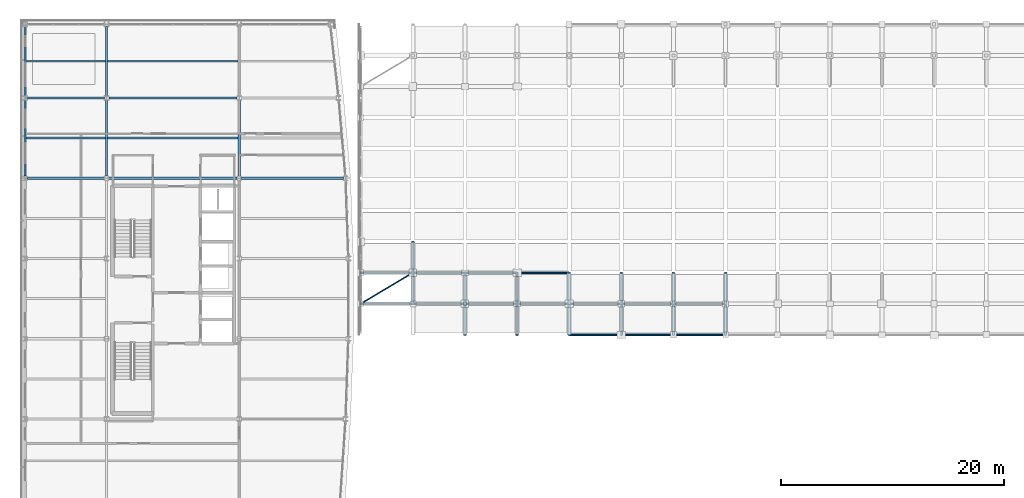
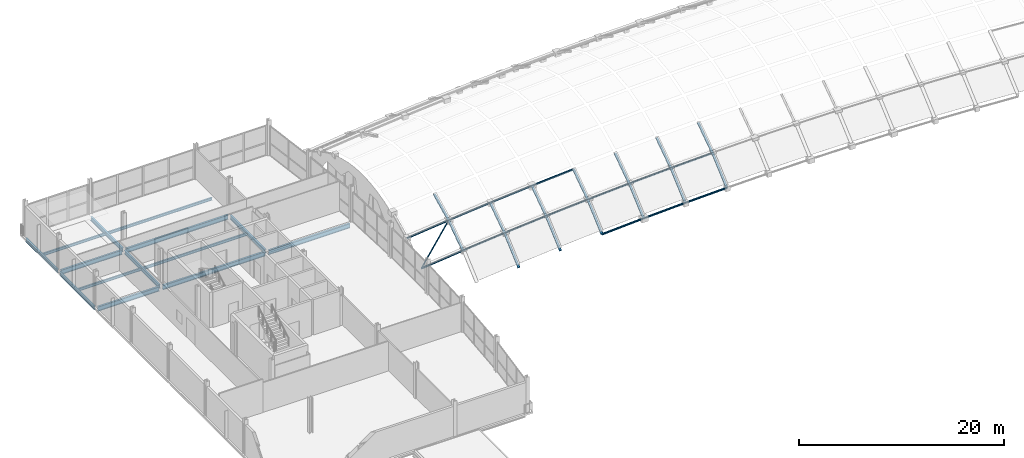
# One storey, part 21 of 65: 28 beams, 15 members.
"""IFC4 building model written with IfcOpenShell, lengths in metres."""

from ifc_helpers import new_model, si_unit, direction, frame, origin, origin_2d, place, context, subcontext, project, spatial, hollow_circle, i_section, extrude, material, material_profile, profile_set, type_object, element, save


model = new_model("IFC4")

# Units and contexts
model_context = context("Model", 3, precision=1e-05, world=origin(), true_north=direction((0.0, 1.0)))
body_context = subcontext(model_context, "Body", "Model", "MODEL_VIEW")
ifc_project = project(units=[si_unit("LENGTHUNIT", "METRE"), si_unit("AREAUNIT", "SQUARE_METRE"), si_unit("VOLUMEUNIT", "CUBIC_METRE"), si_unit("PLANEANGLEUNIT", "RADIAN"), si_unit("MASSUNIT", "GRAM", prefix="KILO")], contexts=[model_context])

# Site, building, storey
site_placement = place(None, origin())
site = spatial("IfcSite", under=ifc_project, at=site_placement, CompositionType="ELEMENT")
building_placement = place(site_placement, origin())
building = spatial("IfcBuilding", under=site, at=building_placement, Name="Quillay Park Conservatory", CompositionType="ELEMENT")
storey_placement = place(building_placement, frame((0.0, 0.0, 14.10009765625)))
storey = spatial("IfcBuildingStorey", under=building, at=storey_placement, Name="L03", CompositionType="ELEMENT", Elevation=14.10009765625)

# Beams
ifc_material_1 = material(Name="Steel ASTM A992 Grade 50", Category="steel")
ifc_material_profile_1 = material_profile(ifc_material_1, i_section(OverallWidth=0.166015625, OverallDepth=0.31298828125, WebThickness=0.006591796875, FlangeThickness=0.01123046875, FilletRadius=0.010009765625, at=origin_2d()), Name="W310x45")
ifc_profile_set_1 = profile_set([ifc_material_profile_1], Name="Steel ASTM A992 Grade 50")
beam_type_1 = type_object("IfcBeamType", Name="COMPOSITE FLOOR JOIST W310 X45", PredefinedType="JOIST", material=ifc_profile_set_1)
beam_1_placement = place(storey_placement, frame((0.639892578125, 103.199951171875, -0.341552734375), z_axis=(1.0, 0.0, 0.0), x_axis=(0.0, 1.0, 0.0)))
element("IfcBeam", 1, at=beam_1_placement, inside=storey, type_object=beam_type_1, Name="L03 beam BM-J-0302", PredefinedType="JOIST", context=body_context, shape_type="SweptSolid", body=[
    extrude(i_section(OverallWidth=0.166015625, OverallDepth=0.31298828125, WebThickness=0.006591796875, FlangeThickness=0.01123046875, FilletRadius=0.010009765625, at=origin_2d()), origin(), (0.0, 0.0, 1.0), 7.114013671875),
])
beam_2_placement = place(storey_placement, frame((7.946044921875, 103.199951171875, -0.341552734375), z_axis=(1.0, 0.0, 0.0), x_axis=(0.0, 1.0, 0.0)))
element("IfcBeam", 2, at=beam_2_placement, inside=storey, type_object=beam_type_1, Name="L03 beam BM-J-0304", PredefinedType="JOIST", context=body_context, shape_type="SweptSolid", body=[
    extrude(i_section(OverallWidth=0.166015625, OverallDepth=0.31298828125, WebThickness=0.006591796875, FlangeThickness=0.01123046875, FilletRadius=0.010009765625, at=origin_2d()), origin(), (0.0, 0.0, 1.0), 11.7080078125),
])
beam_3_placement = place(storey_placement, frame((0.639892578125, 110.10009765625, -0.341552734375), z_axis=(1.0, 0.0, 0.0), x_axis=(0.0, 1.0, 0.0)))
element("IfcBeam", 3, at=beam_3_placement, inside=storey, type_object=beam_type_1, Name="L03 beam BM-J-0309", PredefinedType="JOIST", context=body_context, shape_type="SweptSolid", body=[
    extrude(i_section(OverallWidth=0.166015625, OverallDepth=0.31298828125, WebThickness=0.006591796875, FlangeThickness=0.01123046875, FilletRadius=0.010009765625, at=origin_2d()), origin(), (0.0, 0.0, 1.0), 7.114013671875),
])
beam_4_placement = place(storey_placement, frame((7.946044921875, 110.10009765625, -0.341552734375), z_axis=(1.0, 0.0, 0.0), x_axis=(0.0, 1.0, 0.0)))
element("IfcBeam", 4, at=beam_4_placement, inside=storey, type_object=beam_type_1, Name="L03 beam BM-J-0311", PredefinedType="JOIST", context=body_context, shape_type="SweptSolid", body=[
    extrude(i_section(OverallWidth=0.166015625, OverallDepth=0.31298828125, WebThickness=0.006591796875, FlangeThickness=0.01123046875, FilletRadius=0.010009765625, at=origin_2d()), origin(), (0.0, 0.0, 1.0), 11.7080078125),
])
ifc_material_2 = material(Name="Steel S355J2H", Category="steel")
ifc_material_profile_2 = material_profile(ifc_material_2, hollow_circle(Radius=0.136474609375, WallThickness=0.012451171875, at=origin_2d()), Name="CHS273x12.5")
ifc_profile_set_2 = profile_set([ifc_material_profile_2], Name="Steel S355J2H")
beam_type_2 = type_object("IfcBeamType", Name="GRIDSHELL ARCH BEAM CHS273", PredefinedType="USERDEFINED", material=ifc_profile_set_2)
beam_5_placement = place(storey_placement, frame((35.327880859375, 88.3349609375, 1.207275390625), z_axis=(0.0, 0.824682609274, 0.565595786725), x_axis=(-1.0, 0.0, 0.0)))
element("IfcBeam", 5, at=beam_5_placement, inside=storey, type_object=beam_type_2, Name="Gridshell member GS-ARCH-01-01", ObjectType="GRIDSHELL ARCH BEAM", PredefinedType="USERDEFINED", context=body_context, shape_type="SweptSolid", body=[
    extrude(hollow_circle(Radius=0.136474609375, WallThickness=0.012451171875, at=origin_2d()), origin(), (0.0, 0.0, 1.0), 3.377197265625),
])
beam_6_placement = place(storey_placement, frame((35.327880859375, 91.1201171875, 3.117431640625), z_axis=(0.0, 0.897163004175, 0.441699608262), x_axis=(-1.0, 0.0, 0.0)))
element("IfcBeam", 6, at=beam_6_placement, inside=storey, type_object=beam_type_2, Name="Gridshell member GS-ARCH-01-02", ObjectType="GRIDSHELL ARCH BEAM", PredefinedType="USERDEFINED", context=body_context, shape_type="SweptSolid", body=[
    extrude(hollow_circle(Radius=0.136474609375, WallThickness=0.012451171875, at=origin_2d()), origin(), (0.0, 0.0, 1.0), 3.104248046875),
])
beam_7_placement = place(storey_placement, frame((40.005615234375, 85.550048828125, -0.800537109375), z_axis=(0.0, 0.751437038609, 0.659804802201), x_axis=(-1.0, 0.0, 0.0)))
element("IfcBeam", 7, at=beam_7_placement, inside=storey, type_object=beam_type_2, Name="Gridshell member GS-ARCH-02-00", ObjectType="GRIDSHELL ARCH BEAM", PredefinedType="USERDEFINED", context=body_context, shape_type="SweptSolid", body=[
    extrude(hollow_circle(Radius=0.136474609375, WallThickness=0.012451171875, at=origin_2d()), origin(), (0.0, 0.0, 1.0), 3.7060546875),
])
beam_8_placement = place(storey_placement, frame((40.005615234375, 88.3349609375, 1.644775390625), z_axis=(0.0, 0.824682609274, 0.565595786725), x_axis=(-1.0, 0.0, 0.0)))
element("IfcBeam", 8, at=beam_8_placement, inside=storey, type_object=beam_type_2, Name="Gridshell member GS-ARCH-02-01", ObjectType="GRIDSHELL ARCH BEAM", PredefinedType="USERDEFINED", context=body_context, shape_type="SweptSolid", body=[
    extrude(hollow_circle(Radius=0.136474609375, WallThickness=0.012451171875, at=origin_2d()), origin(), (0.0, 0.0, 1.0), 3.377197265625),
])
beam_9_placement = place(storey_placement, frame((44.683349609375, 85.550048828125, -0.421630859375), z_axis=(0.0, 0.751437038609, 0.659804802201), x_axis=(-1.0, 0.0, 0.0)))
element("IfcBeam", 9, at=beam_9_placement, inside=storey, type_object=beam_type_2, Name="Gridshell member GS-ARCH-03-00", ObjectType="GRIDSHELL ARCH BEAM", PredefinedType="USERDEFINED", context=body_context, shape_type="SweptSolid", body=[
    extrude(hollow_circle(Radius=0.136474609375, WallThickness=0.012451171875, at=origin_2d()), origin(), (0.0, 0.0, 1.0), 3.7060546875),
])
beam_10_placement = place(storey_placement, frame((44.683349609375, 88.3349609375, 2.023681640625), z_axis=(0.0, 0.824682609274, 0.565595786725), x_axis=(-1.0, 0.0, 0.0)))
element("IfcBeam", 10, at=beam_10_placement, inside=storey, type_object=beam_type_2, Name="Gridshell member GS-ARCH-03-01", ObjectType="GRIDSHELL ARCH BEAM", PredefinedType="USERDEFINED", context=body_context, shape_type="SweptSolid", body=[
    extrude(hollow_circle(Radius=0.136474609375, WallThickness=0.012451171875, at=origin_2d()), origin(), (0.0, 0.0, 1.0), 3.377197265625),
])
beam_11_placement = place(storey_placement, frame((49.361083984375, 85.550048828125, -0.101318359375), z_axis=(0.0, 0.751437038609, 0.659804802201), x_axis=(-1.0, 0.0, 0.0)))
element("IfcBeam", 11, at=beam_11_placement, inside=storey, type_object=beam_type_2, Name="Gridshell member GS-ARCH-04-00", ObjectType="GRIDSHELL ARCH BEAM", PredefinedType="USERDEFINED", context=body_context, shape_type="SweptSolid", body=[
    extrude(hollow_circle(Radius=0.136474609375, WallThickness=0.012451171875, at=origin_2d()), origin(), (0.0, 0.0, 1.0), 3.7060546875),
])
beam_12_placement = place(storey_placement, frame((49.361083984375, 88.3349609375, 2.343994140625), z_axis=(0.0, 0.824682609274, 0.565595786725), x_axis=(-1.0, 0.0, 0.0)))
element("IfcBeam", 12, at=beam_12_placement, inside=storey, type_object=beam_type_2, Name="Gridshell member GS-ARCH-04-01", ObjectType="GRIDSHELL ARCH BEAM", PredefinedType="USERDEFINED", context=body_context, shape_type="SweptSolid", body=[
    extrude(hollow_circle(Radius=0.136474609375, WallThickness=0.012451171875, at=origin_2d()), origin(), (0.0, 0.0, 1.0), 3.377197265625),
])
beam_13_placement = place(storey_placement, frame((54.038818359375, 85.550048828125, 0.160400390625), z_axis=(0.0, 0.751437038609, 0.659804802201), x_axis=(-1.0, 0.0, 0.0)))
element("IfcBeam", 13, at=beam_13_placement, inside=storey, type_object=beam_type_2, Name="Gridshell member GS-ARCH-05-00", ObjectType="GRIDSHELL ARCH BEAM", PredefinedType="USERDEFINED", context=body_context, shape_type="SweptSolid", body=[
    extrude(hollow_circle(Radius=0.136474609375, WallThickness=0.012451171875, at=origin_2d()), origin(), (0.0, 0.0, 1.0), 3.7060546875),
])
beam_14_placement = place(storey_placement, frame((54.038818359375, 88.3349609375, 2.605712890625), z_axis=(0.0, 0.824682609274, 0.565595786725), x_axis=(-1.0, 0.0, 0.0)))
element("IfcBeam", 14, at=beam_14_placement, inside=storey, type_object=beam_type_2, Name="Gridshell member GS-ARCH-05-01", ObjectType="GRIDSHELL ARCH BEAM", PredefinedType="USERDEFINED", context=body_context, shape_type="SweptSolid", body=[
    extrude(hollow_circle(Radius=0.136474609375, WallThickness=0.012451171875, at=origin_2d()), origin(), (0.0, 0.0, 1.0), 3.377197265625),
])
beam_15_placement = place(storey_placement, frame((58.716796875, 85.550048828125, 0.363525390625), z_axis=(0.0, 0.751437038609, 0.659804802201), x_axis=(-1.0, 0.0, 0.0)))
element("IfcBeam", 15, at=beam_15_placement, inside=storey, type_object=beam_type_2, Name="Gridshell member GS-ARCH-06-00", ObjectType="GRIDSHELL ARCH BEAM", PredefinedType="USERDEFINED", context=body_context, shape_type="SweptSolid", body=[
    extrude(hollow_circle(Radius=0.136474609375, WallThickness=0.012451171875, at=origin_2d()), origin(), (0.0, 0.0, 1.0), 3.7060546875),
])
beam_16_placement = place(storey_placement, frame((58.716796875, 88.3349609375, 2.808837890625), z_axis=(0.0, 0.824682609274, 0.565595786725), x_axis=(-1.0, 0.0, 0.0)))
element("IfcBeam", 16, at=beam_16_placement, inside=storey, type_object=beam_type_2, Name="Gridshell member GS-ARCH-06-01", ObjectType="GRIDSHELL ARCH BEAM", PredefinedType="USERDEFINED", context=body_context, shape_type="SweptSolid", body=[
    extrude(hollow_circle(Radius=0.136474609375, WallThickness=0.012451171875, at=origin_2d()), origin(), (0.0, 0.0, 1.0), 3.377197265625),
])
beam_17_placement = place(storey_placement, frame((63.394287109375, 85.550048828125, 0.511962890625), z_axis=(0.0, 0.751437038609, 0.659804802201), x_axis=(-1.0, 0.0, 0.0)))
element("IfcBeam", 17, at=beam_17_placement, inside=storey, type_object=beam_type_2, Name="Gridshell member GS-ARCH-07-00", ObjectType="GRIDSHELL ARCH BEAM", PredefinedType="USERDEFINED", context=body_context, shape_type="SweptSolid", body=[
    extrude(hollow_circle(Radius=0.136474609375, WallThickness=0.012451171875, at=origin_2d()), origin(), (0.0, 0.0, 1.0), 3.7060546875),
])
beam_18_placement = place(storey_placement, frame((63.394287109375, 88.3349609375, 2.957275390625), z_axis=(0.0, 0.824682609274, 0.565595786725), x_axis=(-1.0, 0.0, 0.0)))
element("IfcBeam", 18, at=beam_18_placement, inside=storey, type_object=beam_type_2, Name="Gridshell member GS-ARCH-07-01", ObjectType="GRIDSHELL ARCH BEAM", PredefinedType="USERDEFINED", context=body_context, shape_type="SweptSolid", body=[
    extrude(hollow_circle(Radius=0.136474609375, WallThickness=0.012451171875, at=origin_2d()), origin(), (0.0, 0.0, 1.0), 3.377197265625),
])

# Members
ifc_material_3 = material(Name="Steel S355J2H", Category="steel")
ifc_material_profile_3 = material_profile(ifc_material_3, hollow_circle(Radius=0.109619140625, WallThickness=0.010009765625, at=origin_2d()), Name="CHS219.1x10")
ifc_profile_set_3 = profile_set([ifc_material_profile_3], Name="Steel S355J2H")
member_type_1 = type_object("IfcMemberType", Name="GRIDSHELL ARCH RIB CHS219", PredefinedType="USERDEFINED", material=ifc_profile_set_3)
member_1_placement = place(storey_placement, frame((49.361083984375, 85.550048828125, -0.101318359375), z_axis=(0.998438469785, 0.0, 0.055862528163), x_axis=(0.0, 1.0, 0.0)))
element("IfcMember", 19, at=member_1_placement, inside=storey, type_object=member_type_1, Name="Gridshell member GS-RIB-04-00", ObjectType="GRIDSHELL ARCH RIB", PredefinedType="USERDEFINED", context=body_context, shape_type="SweptSolid", body=[
    extrude(hollow_circle(Radius=0.109619140625, WallThickness=0.010009765625, at=origin_2d()), origin(), (0.0, 0.0, 1.0), 4.68505859375),
])
member_2_placement = place(storey_placement, frame((54.038818359375, 85.550048828125, 0.160400390625), z_axis=(0.999058616198, 0.0, 0.043380656995), x_axis=(0.0, 1.0, 0.0)))
element("IfcMember", 20, at=member_2_placement, inside=storey, type_object=member_type_1, Name="Gridshell member GS-RIB-05-00", ObjectType="GRIDSHELL ARCH RIB", PredefinedType="USERDEFINED", context=body_context, shape_type="SweptSolid", body=[
    extrude(hollow_circle(Radius=0.109619140625, WallThickness=0.010009765625, at=origin_2d()), origin(), (0.0, 0.0, 1.0), 4.682373046875),
])
member_3_placement = place(storey_placement, frame((58.716796875, 85.550048828125, 0.363525390625), z_axis=(0.99949684289, 0.0, 0.031718465498), x_axis=(0.0, 1.0, 0.0)))
element("IfcMember", 21, at=member_3_placement, inside=storey, type_object=member_type_1, Name="Gridshell member GS-RIB-06-00", ObjectType="GRIDSHELL ARCH RIB", PredefinedType="USERDEFINED", context=body_context, shape_type="SweptSolid", body=[
    extrude(hollow_circle(Radius=0.109619140625, WallThickness=0.010009765625, at=origin_2d()), origin(), (0.0, 0.0, 1.0), 4.679931640625),
])
member_4_placement = place(storey_placement, frame((30.64990234375, 88.3349609375, 0.711181640625), z_axis=(0.994423821707, 0.0, 0.105457398137), x_axis=(0.0, 1.0, 0.0)))
element("IfcMember", 22, at=member_4_placement, inside=storey, type_object=member_type_1, Name="Gridshell member GS-RIB-00-01", ObjectType="GRIDSHELL ARCH RIB", PredefinedType="USERDEFINED", context=body_context, shape_type="SweptSolid", body=[
    extrude(hollow_circle(Radius=0.109619140625, WallThickness=0.010009765625, at=origin_2d()), origin(), (0.0, 0.0, 1.0), 4.7041015625),
])
member_5_placement = place(storey_placement, frame((35.327880859375, 88.3349609375, 1.207275390625), z_axis=(0.995654726514, 0.0, 0.093121778179), x_axis=(0.0, 1.0, 0.0)))
element("IfcMember", 23, at=member_5_placement, inside=storey, type_object=member_type_1, Name="Gridshell member GS-RIB-01-01", ObjectType="GRIDSHELL ARCH RIB", PredefinedType="USERDEFINED", context=body_context, shape_type="SweptSolid", body=[
    extrude(hollow_circle(Radius=0.109619140625, WallThickness=0.010009765625, at=origin_2d()), origin(), (0.0, 0.0, 1.0), 4.6982421875),
])
member_6_placement = place(storey_placement, frame((40.005615234375, 88.3349609375, 1.644775390625), z_axis=(0.996735387311, 0.0, 0.080737647239), x_axis=(0.0, 1.0, 0.0)))
element("IfcMember", 24, at=member_6_placement, inside=storey, type_object=member_type_1, Name="Gridshell member GS-RIB-02-01", ObjectType="GRIDSHELL ARCH RIB", PredefinedType="USERDEFINED", context=body_context, shape_type="SweptSolid", body=[
    extrude(hollow_circle(Radius=0.109619140625, WallThickness=0.010009765625, at=origin_2d()), origin(), (0.0, 0.0, 1.0), 4.693115234375),
])
member_7_placement = place(storey_placement, frame((44.683349609375, 88.3349609375, 2.023681640625), z_axis=(0.997663732084, 0.0, 0.068316013387), x_axis=(0.0, 1.0, 0.0)))
element("IfcMember", 25, at=member_7_placement, inside=storey, type_object=member_type_1, Name="Gridshell member GS-RIB-03-01", ObjectType="GRIDSHELL ARCH RIB", PredefinedType="USERDEFINED", context=body_context, shape_type="SweptSolid", body=[
    extrude(hollow_circle(Radius=0.109619140625, WallThickness=0.010009765625, at=origin_2d()), origin(), (0.0, 0.0, 1.0), 4.688720703125),
])
member_8_placement = place(storey_placement, frame((49.361083984375, 88.3349609375, 2.343994140625), z_axis=(0.998438469785, 0.0, 0.055862528163), x_axis=(0.0, 1.0, 0.0)))
element("IfcMember", 26, at=member_8_placement, inside=storey, type_object=member_type_1, Name="Gridshell member GS-RIB-04-01", ObjectType="GRIDSHELL ARCH RIB", PredefinedType="USERDEFINED", context=body_context, shape_type="SweptSolid", body=[
    extrude(hollow_circle(Radius=0.109619140625, WallThickness=0.010009765625, at=origin_2d()), origin(), (0.0, 0.0, 1.0), 4.68505859375),
])
member_9_placement = place(storey_placement, frame((54.038818359375, 88.3349609375, 2.605712890625), z_axis=(0.999058616198, 0.0, 0.043380656995), x_axis=(0.0, 1.0, 0.0)))
element("IfcMember", 27, at=member_9_placement, inside=storey, type_object=member_type_1, Name="Gridshell member GS-RIB-05-01", ObjectType="GRIDSHELL ARCH RIB", PredefinedType="USERDEFINED", context=body_context, shape_type="SweptSolid", body=[
    extrude(hollow_circle(Radius=0.109619140625, WallThickness=0.010009765625, at=origin_2d()), origin(), (0.0, 0.0, 1.0), 4.682373046875),
])
member_10_placement = place(storey_placement, frame((58.716796875, 88.3349609375, 2.808837890625), z_axis=(0.99949684289, 0.0, 0.031718465498), x_axis=(0.0, 1.0, 0.0)))
element("IfcMember", 28, at=member_10_placement, inside=storey, type_object=member_type_1, Name="Gridshell member GS-RIB-06-01", ObjectType="GRIDSHELL ARCH RIB", PredefinedType="USERDEFINED", context=body_context, shape_type="SweptSolid", body=[
    extrude(hollow_circle(Radius=0.109619140625, WallThickness=0.010009765625, at=origin_2d()), origin(), (0.0, 0.0, 1.0), 4.679931640625),
])
member_11_placement = place(storey_placement, frame((30.64990234375, 91.1201171875, 2.621337890625), z_axis=(0.994423821707, 0.0, 0.105457398137), x_axis=(0.0, 1.0, 0.0)))
element("IfcMember", 29, at=member_11_placement, inside=storey, type_object=member_type_1, Name="Gridshell member GS-RIB-00-02", ObjectType="GRIDSHELL ARCH RIB", PredefinedType="USERDEFINED", context=body_context, shape_type="SweptSolid", body=[
    extrude(hollow_circle(Radius=0.109619140625, WallThickness=0.010009765625, at=origin_2d()), origin(), (0.0, 0.0, 1.0), 4.7041015625),
])
member_12_placement = place(storey_placement, frame((35.327880859375, 91.1201171875, 3.117431640625), z_axis=(0.995654726514, 0.0, 0.093121778179), x_axis=(0.0, 1.0, 0.0)))
element("IfcMember", 30, at=member_12_placement, inside=storey, type_object=member_type_1, Name="Gridshell member GS-RIB-01-02", ObjectType="GRIDSHELL ARCH RIB", PredefinedType="USERDEFINED", context=body_context, shape_type="SweptSolid", body=[
    extrude(hollow_circle(Radius=0.109619140625, WallThickness=0.010009765625, at=origin_2d()), origin(), (0.0, 0.0, 1.0), 4.6982421875),
])
member_13_placement = place(storey_placement, frame((40.005615234375, 91.1201171875, 3.554931640625), z_axis=(0.996735387311, 0.0, 0.080737647239), x_axis=(0.0, 1.0, 0.0)))
element("IfcMember", 31, at=member_13_placement, inside=storey, type_object=member_type_1, Name="Gridshell member GS-RIB-02-02", ObjectType="GRIDSHELL ARCH RIB", PredefinedType="USERDEFINED", context=body_context, shape_type="SweptSolid", body=[
    extrude(hollow_circle(Radius=0.109619140625, WallThickness=0.010009765625, at=origin_2d()), origin(), (0.0, 0.0, 1.0), 4.693115234375),
])
member_14_placement = place(storey_placement, frame((44.683349609375, 91.1201171875, 3.933837890625), z_axis=(0.997663732084, 0.0, 0.068316013387), x_axis=(0.0, 1.0, 0.0)))
element("IfcMember", 32, at=member_14_placement, inside=storey, type_object=member_type_1, Name="Gridshell member GS-RIB-03-02", ObjectType="GRIDSHELL ARCH RIB", PredefinedType="USERDEFINED", context=body_context, shape_type="SweptSolid", body=[
    extrude(hollow_circle(Radius=0.109619140625, WallThickness=0.010009765625, at=origin_2d()), origin(), (0.0, 0.0, 1.0), 4.688720703125),
])
ifc_material_4 = material(Name="Steel S355J2H", Category="steel")
ifc_material_profile_4 = material_profile(ifc_material_4, hollow_circle(Radius=0.06982421875, WallThickness=0.00634765625, at=origin_2d()), Name="CHS139.7x6.3")
ifc_profile_set_4 = profile_set([ifc_material_profile_4], Name="Steel S355J2H")
member_type_2 = type_object("IfcMemberType", Name="GRIDSHELL DIAGRID BRACE CHS140", PredefinedType="BRACE", material=ifc_profile_set_4)
member_15_placement = place(storey_placement, frame((30.64990234375, 88.3349609375, 0.711181640625), z_axis=(0.785902848432, 0.46790771332, 0.404251264243), x_axis=(-0.511571366138, 0.85924079125, 0.0)))
element("IfcMember", 33, at=member_15_placement, inside=storey, type_object=member_type_2, Name="Gridshell member GS-DIAG-00-01", PredefinedType="BRACE", context=body_context, shape_type="SweptSolid", body=[
    extrude(hollow_circle(Radius=0.06982421875, WallThickness=0.00634765625, at=origin_2d()), origin(), (0.0, 0.0, 1.0), 5.952392578125),
])

# Beams
ifc_material_5 = material(Name="Steel ASTM A992 Grade 50", Category="steel")
ifc_material_profile_5 = material_profile(ifc_material_5, i_section(OverallWidth=0.179931640625, OverallDepth=0.4130859375, WebThickness=0.009765625, FlangeThickness=0.01611328125, FilletRadius=0.011962890625, at=origin_2d()), Name="W410x74")
ifc_profile_set_5 = profile_set([ifc_material_profile_5], Name="Steel ASTM A992 Grade 50")
beam_type_3 = type_object("IfcBeamType", Name="PERIMETER SPANDREL BEAM W410 X74", PredefinedType="SPANDREL", material=ifc_profile_set_5)
beam_19_placement = place(storey_placement, frame((0.550048828125, 99.7900390625, -0.3916015625), z_axis=(0.0, 1.0, 0.0), x_axis=(-1.0, 0.0, 0.0)))
element("IfcBeam", 34, at=beam_19_placement, inside=storey, type_object=beam_type_3, Name="L03 beam BM-SPW-0298", PredefinedType="SPANDREL", context=body_context, shape_type="SweptSolid", body=[
    extrude(i_section(OverallWidth=0.179931640625, OverallDepth=0.4130859375, WebThickness=0.009765625, FlangeThickness=0.01611328125, FilletRadius=0.011962890625, at=origin_2d()), origin(), (0.0, 0.0, 1.0), 6.820068359375),
])
beam_20_placement = place(storey_placement, frame((0.550048828125, 106.989990234375, -0.3916015625), z_axis=(0.0, 1.0, 0.0), x_axis=(-1.0, 0.0, 0.0)))
element("IfcBeam", 35, at=beam_20_placement, inside=storey, type_object=beam_type_3, Name="L03 beam BM-SPW-0305", PredefinedType="SPANDREL", context=body_context, shape_type="SweptSolid", body=[
    extrude(i_section(OverallWidth=0.179931640625, OverallDepth=0.4130859375, WebThickness=0.009765625, FlangeThickness=0.01611328125, FilletRadius=0.011962890625, at=origin_2d()), origin(), (0.0, 0.0, 1.0), 6.219970703125),
])
ifc_material_6 = material(Name="Steel ASTM A992 Grade 50", Category="steel")
ifc_material_profile_6 = material_profile(ifc_material_6, i_section(OverallWidth=0.19189453125, OverallDepth=0.462890625, WebThickness=0.010498046875, FlangeThickness=0.017578125, FilletRadius=0.012939453125, at=origin_2d()), Name="W460x89")
ifc_profile_set_6 = profile_set([ifc_material_profile_6], Name="Steel ASTM A992 Grade 50")
beam_type_4 = type_object("IfcBeamType", Name="PRIMARY FLOOR GIRDER W460 X89", PredefinedType="BEAM", material=ifc_profile_set_6)
for number, where, z_axis, x_axis, name in (
    (36, (7.85009765625, 99.797607421875, -0.41650390625), (0.0, 1.0, 0.0), (-1.0, 0.0, 0.0), "L03 beam BM-GNS-0300"),
    (37, (19.75, 99.797607421875, -0.41650390625), (0.0, 1.0, 0.0), (-1.0, 0.0, 0.0), "L03 beam BM-GNS-0301"),
):
    element("IfcBeam", number, at=place(storey_placement, frame(where, z_axis=z_axis, x_axis=x_axis)), inside=storey, type_object=beam_type_4, Name=name, PredefinedType="BEAM", context=body_context, shape_type="SweptSolid", body=[
        extrude(i_section(OverallWidth=0.19189453125, OverallDepth=0.462890625, WebThickness=0.010498046875, FlangeThickness=0.017578125, FilletRadius=0.012939453125, at=origin_2d()), origin(), (0.0, 0.0, 1.0), 6.8125),
    ])
beam_21_placement = place(storey_placement, frame((7.85009765625, 106.989990234375, -0.41650390625), z_axis=(0.0, 1.0, 0.0), x_axis=(-1.0, 0.0, 0.0)))
element("IfcBeam", 38, at=beam_21_placement, inside=storey, type_object=beam_type_4, Name="L03 beam BM-GNS-0307", PredefinedType="BEAM", context=body_context, shape_type="SweptSolid", body=[
    extrude(i_section(OverallWidth=0.19189453125, OverallDepth=0.462890625, WebThickness=0.010498046875, FlangeThickness=0.017578125, FilletRadius=0.012939453125, at=origin_2d()), origin(), (0.0, 0.0, 1.0), 6.21240234375),
])
ifc_material_7 = material(Name="Steel ASTM A992 Grade 50", Category="steel")
ifc_material_profile_7 = material_profile(ifc_material_7, i_section(OverallWidth=0.2109375, OverallDepth=0.5390625, WebThickness=0.01171875, FlangeThickness=0.018798828125, FilletRadius=0.013916015625, at=origin_2d()), Name="W530x109")
ifc_profile_set_7 = profile_set([ifc_material_profile_7], Name="Steel ASTM A992 Grade 50")
beam_type_5 = type_object("IfcBeamType", Name="PRIMARY FLOOR GIRDER W530 X109", PredefinedType="BEAM", material=ifc_profile_set_7)
beam_22_placement = place(storey_placement, frame((0.74755859375, 99.60009765625, -0.45458984375), z_axis=(1.0, 0.0, 0.0), x_axis=(0.0, 1.0, 0.0)))
element("IfcBeam", 39, at=beam_22_placement, inside=storey, type_object=beam_type_5, Name="L03 beam BM-G-0257", PredefinedType="BEAM", context=body_context, shape_type="SweptSolid", body=[
    extrude(i_section(OverallWidth=0.2109375, OverallDepth=0.5390625, WebThickness=0.01171875, FlangeThickness=0.018798828125, FilletRadius=0.013916015625, at=origin_2d()), origin(), (0.0, 0.0, 1.0), 6.912353515625),
])
beam_23_placement = place(storey_placement, frame((8.0400390625, 99.60009765625, -0.45458984375), z_axis=(1.0, 0.0, 0.0), x_axis=(0.0, 1.0, 0.0)))
element("IfcBeam", 40, at=beam_23_placement, inside=storey, type_object=beam_type_5, Name="L03 beam BM-G-0258", PredefinedType="BEAM", context=body_context, shape_type="SweptSolid", body=[
    extrude(i_section(OverallWidth=0.2109375, OverallDepth=0.5390625, WebThickness=0.01171875, FlangeThickness=0.018798828125, FilletRadius=0.013916015625, at=origin_2d()), origin(), (0.0, 0.0, 1.0), 11.52001953125),
])
beam_24_placement = place(storey_placement, frame((19.93994140625, 99.60009765625, -0.45458984375), z_axis=(1.0, 0.0, 0.0), x_axis=(0.0, 1.0, 0.0)))
element("IfcBeam", 41, at=beam_24_placement, inside=storey, type_object=beam_type_5, Name="L03 beam BM-G-0259", PredefinedType="BEAM", context=body_context, shape_type="SweptSolid", body=[
    extrude(i_section(OverallWidth=0.2109375, OverallDepth=0.5390625, WebThickness=0.01171875, FlangeThickness=0.018798828125, FilletRadius=0.013916015625, at=origin_2d()), origin(), (0.0, 0.0, 1.0), 9.16259765625),
])
beam_25_placement = place(storey_placement, frame((0.74755859375, 106.800048828125, -0.45458984375), z_axis=(1.0, 0.0, 0.0), x_axis=(0.0, 1.0, 0.0)))
element("IfcBeam", 42, at=beam_25_placement, inside=storey, type_object=beam_type_5, Name="L03 beam BM-G-0260", PredefinedType="BEAM", context=body_context, shape_type="SweptSolid", body=[
    extrude(i_section(OverallWidth=0.2109375, OverallDepth=0.5390625, WebThickness=0.01171875, FlangeThickness=0.018798828125, FilletRadius=0.013916015625, at=origin_2d()), origin(), (0.0, 0.0, 1.0), 6.905029296875),
])
beam_26_placement = place(storey_placement, frame((8.047607421875, 106.800048828125, -0.45458984375), z_axis=(1.0, 0.0, 0.0), x_axis=(0.0, 1.0, 0.0)))
element("IfcBeam", 43, at=beam_26_placement, inside=storey, type_object=beam_type_5, Name="L03 beam BM-G-0261", PredefinedType="BEAM", context=body_context, shape_type="SweptSolid", body=[
    extrude(i_section(OverallWidth=0.2109375, OverallDepth=0.5390625, WebThickness=0.01171875, FlangeThickness=0.018798828125, FilletRadius=0.013916015625, at=origin_2d()), origin(), (0.0, 0.0, 1.0), 11.5048828125),
])

save(model, "model.ifc")
